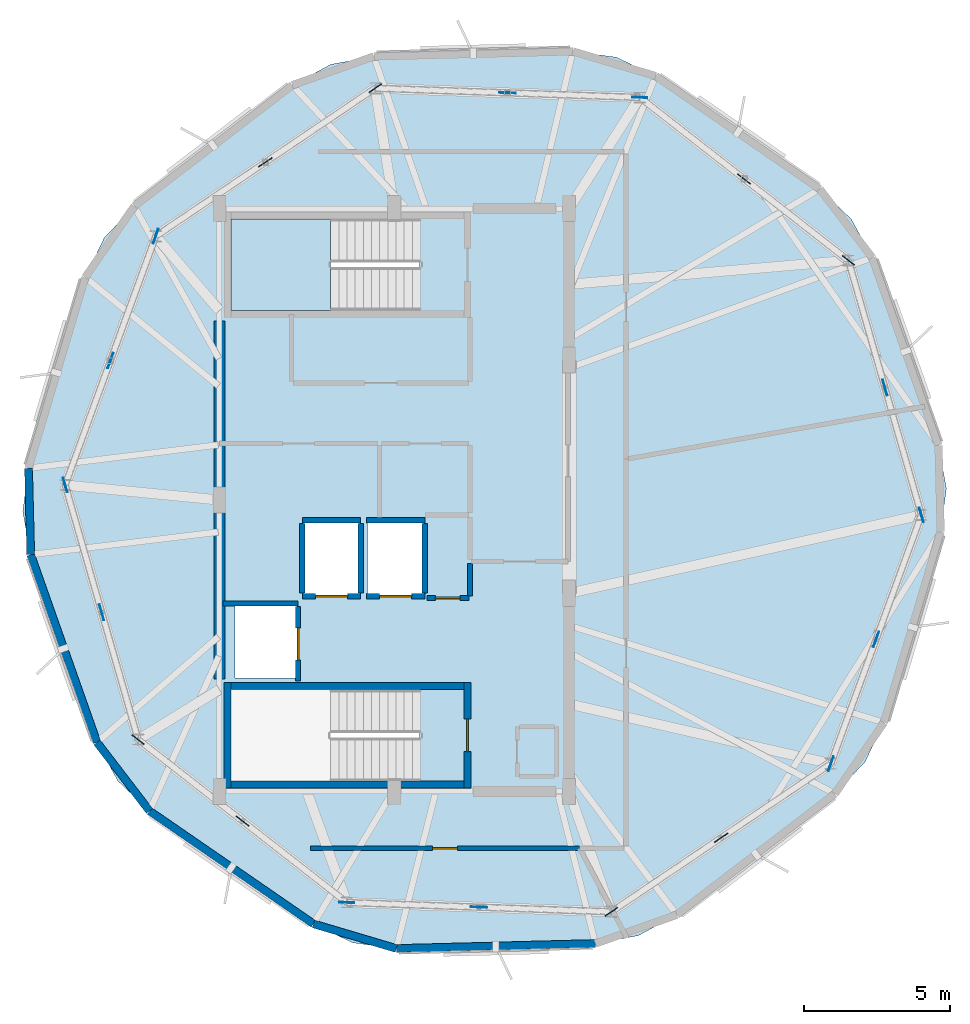
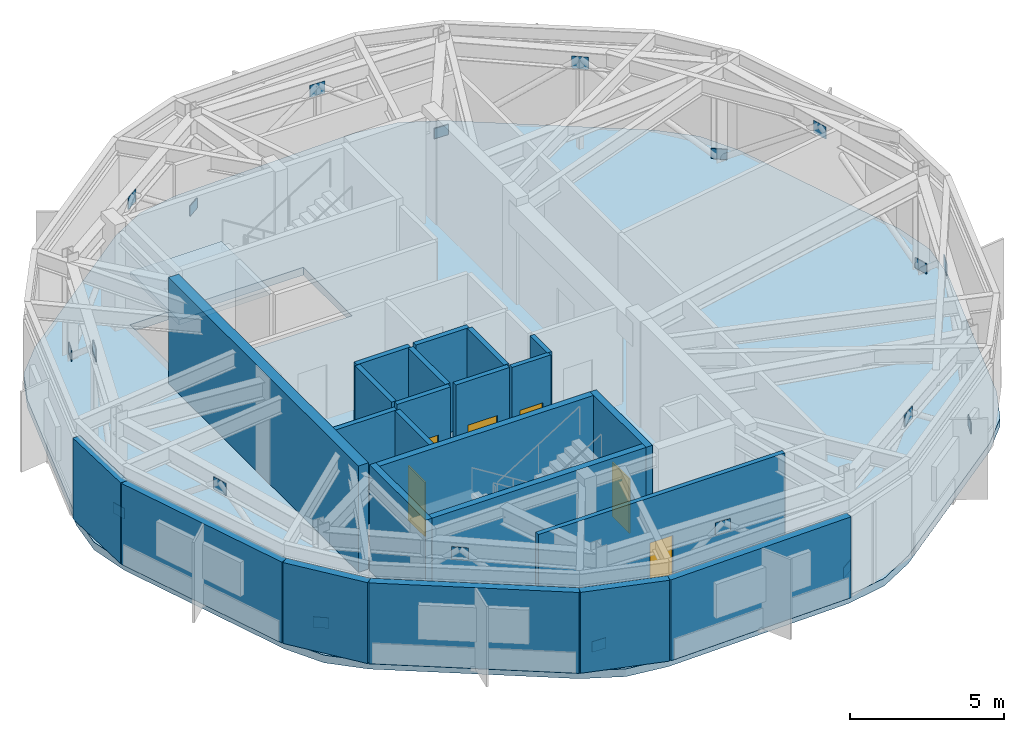
# One storey, part 4 of 9: 23 walls, 20 plates, 6 doors, 2 slabs, 6 openings, 1 element without a shape of its own.
"""IFC4 building model written with IfcOpenShell, lengths in metres."""

from ifc_helpers import new_model, si_unit, direction, frame, frame_2d, origin, origin_2d, place, context, subcontext, project, spatial, polyline, rectangle, outline, extrude, material, layer, layer_set, type_object, element, fill, aggregate, save


model = new_model("IFC4")

# Units and contexts
model_context = context("Model", 3, precision=1e-05, world=origin(), true_north=direction((0.0, 1.0)))
body_context = subcontext(model_context, "Body", "Model", "MODEL_VIEW")
ifc_project = project(units=[si_unit("LENGTHUNIT", "METRE"), si_unit("AREAUNIT", "SQUARE_METRE"), si_unit("VOLUMEUNIT", "CUBIC_METRE"), si_unit("PLANEANGLEUNIT", "RADIAN"), si_unit("MASSUNIT", "GRAM", prefix="KILO")], contexts=[model_context])

# Site, building, storey
site_placement = place(None, origin())
site = spatial("IfcSite", under=ifc_project, at=site_placement, CompositionType="ELEMENT")
building_placement = place(site_placement, origin())
building = spatial("IfcBuilding", under=site, at=building_placement, Name="Soratama Intermodal Tower", CompositionType="ELEMENT")
storey_placement = place(building_placement, frame((0.0, 0.0, 305.64990234375)))
storey = spatial("IfcBuildingStorey", under=building, at=storey_placement, Name="L77", CompositionType="ELEMENT", Elevation=305.64990234375)

# Plates
ifc_material_1 = material(Name="Structural steel ASTM A992 Grade 50", Category="steel")
ifc_layer_1 = layer(ifc_material_1, 0.030029296875)
ifc_layer_set_1 = layer_set([ifc_layer_1], Name="Structural steel ASTM A992 Grade 50")
plate_type = type_object("IfcPlateType", Name="PL-GUSSET-30", PredefinedType="USERDEFINED", material=ifc_layer_set_1)
plate_1_placement = place(storey_placement, frame((50.607421875, 36.016845703125, 3.127685546875), z_axis=(0.0, 0.0, 1.0), x_axis=(-0.788010753607, 0.615661475326, 0.0)))
element("IfcPlate", 1, at=plate_1_placement, inside=storey, type_object=plate_type, Name="L77 Belt Truss Apex Gusset 01", ObjectType="GUSSET PLATE", PredefinedType="USERDEFINED", context=body_context, shape_type="SweptSolid", body=[
    extrude(rectangle(XDim=0.56005859375, YDim=0.030029296875, at=origin_2d()), origin(), (0.0, 0.0, 1.0), 0.47998046875),
])
plate_2_placement = place(storey_placement, frame((54.18701171875, 33.22021484375, -0.019775390625), z_axis=(0.0, 0.0, 1.0), x_axis=(-0.788010753607, 0.615661475326, 0.0)))
element("IfcPlate", 2, at=plate_2_placement, inside=storey, type_object=plate_type, Name="L77 Belt Truss Foot Gusset 01", ObjectType="GUSSET PLATE", PredefinedType="USERDEFINED", context=body_context, shape_type="SweptSolid", body=[
    extrude(rectangle(XDim=0.52001953125, YDim=0.030029296875, at=origin_2d()), origin(), (0.0, 0.0, 1.0), 0.419921875),
])
plate_3_placement = place(storey_placement, frame((42.48779296875, 38.971923828125, 3.127685546875), z_axis=(0.0, 0.0, 1.0), x_axis=(-0.999390827019, 0.034899496703, 0.0)))
element("IfcPlate", 3, at=plate_3_placement, inside=storey, type_object=plate_type, Name="L77 Belt Truss Apex Gusset 02", ObjectType="GUSSET PLATE", PredefinedType="USERDEFINED", context=body_context, shape_type="SweptSolid", body=[
    extrude(rectangle(XDim=0.56005859375, YDim=0.030029296875, at=origin_2d()), origin(), (0.0, 0.0, 1.0), 0.47998046875),
])
plate_4_placement = place(storey_placement, frame((47.027587890625, 38.8134765625, -0.019775390625), z_axis=(0.0, 0.0, 1.0), x_axis=(-0.999390827019, 0.034899496703, 0.0)))
element("IfcPlate", 4, at=plate_4_placement, inside=storey, type_object=plate_type, Name="L77 Belt Truss Foot Gusset 02", ObjectType="GUSSET PLATE", PredefinedType="USERDEFINED", context=body_context, shape_type="SweptSolid", body=[
    extrude(rectangle(XDim=0.52001953125, YDim=0.030029296875, at=origin_2d()), origin(), (0.0, 0.0, 1.0), 0.419921875),
])
plate_5_placement = place(storey_placement, frame((34.18212890625, 36.59033203125, 3.127685546875), z_axis=(0.0, 0.0, 1.0), x_axis=(-0.829037572555, -0.559192903471, 0.0)))
element("IfcPlate", 5, at=plate_5_placement, inside=storey, type_object=plate_type, Name="L77 Belt Truss Apex Gusset 03", ObjectType="GUSSET PLATE", PredefinedType="USERDEFINED", context=body_context, shape_type="SweptSolid", body=[
    extrude(rectangle(XDim=0.56005859375, YDim=0.030029296875, at=origin_2d()), origin(), (0.0, 0.0, 1.0), 0.47998046875),
])
plate_6_placement = place(storey_placement, frame((37.947998046875, 39.130615234375, -0.019775390625), z_axis=(0.0, 0.0, 1.0), x_axis=(-0.829037572555, -0.559192903471, 0.0)))
element("IfcPlate", 6, at=plate_6_placement, inside=storey, type_object=plate_type, Name="L77 Belt Truss Foot Gusset 03", ObjectType="GUSSET PLATE", PredefinedType="USERDEFINED", context=body_context, shape_type="SweptSolid", body=[
    extrude(rectangle(XDim=0.52001953125, YDim=0.030029296875, at=origin_2d()), origin(), (0.0, 0.0, 1.0), 0.419921875),
])
plate_7_placement = place(storey_placement, frame((28.862548828125, 29.781494140625, 3.127685546875), z_axis=(0.0, 0.0, 1.0), x_axis=(-0.342020143326, -0.939692620786, 0.0)))
element("IfcPlate", 7, at=plate_7_placement, inside=storey, type_object=plate_type, Name="L77 Belt Truss Apex Gusset 04", ObjectType="GUSSET PLATE", PredefinedType="USERDEFINED", context=body_context, shape_type="SweptSolid", body=[
    extrude(rectangle(XDim=0.56005859375, YDim=0.030029296875, at=origin_2d()), origin(), (0.0, 0.0, 1.0), 0.47998046875),
])
plate_8_placement = place(storey_placement, frame((30.416259765625, 34.05029296875, -0.019775390625), z_axis=(0.0, 0.0, 1.0), x_axis=(-0.342020143326, -0.939692620786, 0.0)))
element("IfcPlate", 8, at=plate_8_placement, inside=storey, type_object=plate_type, Name="L77 Belt Truss Foot Gusset 04", ObjectType="GUSSET PLATE", PredefinedType="USERDEFINED", context=body_context, shape_type="SweptSolid", body=[
    extrude(rectangle(XDim=0.52001953125, YDim=0.030029296875, at=origin_2d()), origin(), (0.0, 0.0, 1.0), 0.419921875),
])
plate_9_placement = place(storey_placement, frame((28.56103515625, 21.146484375, 3.127685546875), z_axis=(0.0, 0.0, 1.0), x_axis=(0.275637355817, -0.961261695938, 0.0)))
element("IfcPlate", 9, at=plate_9_placement, inside=storey, type_object=plate_type, Name="L77 Belt Truss Apex Gusset 05", ObjectType="GUSSET PLATE", PredefinedType="USERDEFINED", context=body_context, shape_type="SweptSolid", body=[
    extrude(rectangle(XDim=0.56005859375, YDim=0.030029296875, at=origin_2d()), origin(), (0.0, 0.0, 1.0), 0.47998046875),
])
plate_10_placement = place(storey_placement, frame((27.30908203125, 25.512939453125, -0.019775390625), z_axis=(0.0, 0.0, 1.0), x_axis=(0.275637355817, -0.961261695938, 0.0)))
element("IfcPlate", 10, at=plate_10_placement, inside=storey, type_object=plate_type, Name="L77 Belt Truss Foot Gusset 05", ObjectType="GUSSET PLATE", PredefinedType="USERDEFINED", context=body_context, shape_type="SweptSolid", body=[
    extrude(rectangle(XDim=0.52001953125, YDim=0.030029296875, at=origin_2d()), origin(), (0.0, 0.0, 1.0), 0.419921875),
])
plate_11_placement = place(storey_placement, frame((33.392578125, 13.983154296875, 3.127685546875), z_axis=(0.0, 0.0, 1.0), x_axis=(0.788010753607, -0.615661475326, 0.0)))
element("IfcPlate", 11, at=plate_11_placement, inside=storey, type_object=plate_type, Name="L77 Belt Truss Apex Gusset 06", ObjectType="GUSSET PLATE", PredefinedType="USERDEFINED", context=body_context, shape_type="SweptSolid", body=[
    extrude(rectangle(XDim=0.56005859375, YDim=0.030029296875, at=origin_2d()), origin(), (0.0, 0.0, 1.0), 0.47998046875),
])
plate_12_placement = place(storey_placement, frame((29.81298828125, 16.77978515625, -0.019775390625), z_axis=(0.0, 0.0, 1.0), x_axis=(0.788010753607, -0.615661475326, 0.0)))
element("IfcPlate", 12, at=plate_12_placement, inside=storey, type_object=plate_type, Name="L77 Belt Truss Foot Gusset 06", ObjectType="GUSSET PLATE", PredefinedType="USERDEFINED", context=body_context, shape_type="SweptSolid", body=[
    extrude(rectangle(XDim=0.52001953125, YDim=0.030029296875, at=origin_2d()), origin(), (0.0, 0.0, 1.0), 0.419921875),
])
plate_13_placement = place(storey_placement, frame((41.51220703125, 11.028076171875, 3.127685546875), z_axis=(0.0, 0.0, 1.0), x_axis=(0.999390827019, -0.034899496703, 0.0)))
element("IfcPlate", 13, at=plate_13_placement, inside=storey, type_object=plate_type, Name="L77 Belt Truss Apex Gusset 07", ObjectType="GUSSET PLATE", PredefinedType="USERDEFINED", context=body_context, shape_type="SweptSolid", body=[
    extrude(rectangle(XDim=0.56005859375, YDim=0.030029296875, at=origin_2d()), origin(), (0.0, 0.0, 1.0), 0.47998046875),
])
plate_14_placement = place(storey_placement, frame((36.972412109375, 11.1865234375, -0.019775390625), z_axis=(0.0, 0.0, 1.0), x_axis=(0.999390827019, -0.034899496703, 0.0)))
element("IfcPlate", 14, at=plate_14_placement, inside=storey, type_object=plate_type, Name="L77 Belt Truss Foot Gusset 07", ObjectType="GUSSET PLATE", PredefinedType="USERDEFINED", context=body_context, shape_type="SweptSolid", body=[
    extrude(rectangle(XDim=0.52001953125, YDim=0.030029296875, at=origin_2d()), origin(), (0.0, 0.0, 1.0), 0.419921875),
])
plate_15_placement = place(storey_placement, frame((49.81787109375, 13.40966796875, 3.127685546875), z_axis=(0.0, 0.0, 1.0), x_axis=(0.829037572555, 0.559192903471, 0.0)))
element("IfcPlate", 15, at=plate_15_placement, inside=storey, type_object=plate_type, Name="L77 Belt Truss Apex Gusset 08", ObjectType="GUSSET PLATE", PredefinedType="USERDEFINED", context=body_context, shape_type="SweptSolid", body=[
    extrude(rectangle(XDim=0.56005859375, YDim=0.030029296875, at=origin_2d()), origin(), (0.0, 0.0, 1.0), 0.47998046875),
])
plate_16_placement = place(storey_placement, frame((46.052001953125, 10.869384765625, -0.019775390625), z_axis=(0.0, 0.0, 1.0), x_axis=(0.829037572555, 0.559192903471, 0.0)))
element("IfcPlate", 16, at=plate_16_placement, inside=storey, type_object=plate_type, Name="L77 Belt Truss Foot Gusset 08", ObjectType="GUSSET PLATE", PredefinedType="USERDEFINED", context=body_context, shape_type="SweptSolid", body=[
    extrude(rectangle(XDim=0.52001953125, YDim=0.030029296875, at=origin_2d()), origin(), (0.0, 0.0, 1.0), 0.419921875),
])
plate_17_placement = place(storey_placement, frame((55.137451171875, 20.218505859375, 3.127685546875), z_axis=(0.0, 0.0, 1.0), x_axis=(0.342020143326, 0.939692620786, 0.0)))
element("IfcPlate", 17, at=plate_17_placement, inside=storey, type_object=plate_type, Name="L77 Belt Truss Apex Gusset 09", ObjectType="GUSSET PLATE", PredefinedType="USERDEFINED", context=body_context, shape_type="SweptSolid", body=[
    extrude(rectangle(XDim=0.56005859375, YDim=0.030029296875, at=origin_2d()), origin(), (0.0, 0.0, 1.0), 0.47998046875),
])
plate_18_placement = place(storey_placement, frame((53.583740234375, 15.94970703125, -0.019775390625), z_axis=(0.0, 0.0, 1.0), x_axis=(0.342020143326, 0.939692620786, 0.0)))
element("IfcPlate", 18, at=plate_18_placement, inside=storey, type_object=plate_type, Name="L77 Belt Truss Foot Gusset 09", ObjectType="GUSSET PLATE", PredefinedType="USERDEFINED", context=body_context, shape_type="SweptSolid", body=[
    extrude(rectangle(XDim=0.52001953125, YDim=0.030029296875, at=origin_2d()), origin(), (0.0, 0.0, 1.0), 0.419921875),
])
plate_19_placement = place(storey_placement, frame((55.43896484375, 28.853515625, 3.127685546875), z_axis=(0.0, 0.0, 1.0), x_axis=(-0.275637355817, 0.961261695938, 0.0)))
element("IfcPlate", 19, at=plate_19_placement, inside=storey, type_object=plate_type, Name="L77 Belt Truss Apex Gusset 10", ObjectType="GUSSET PLATE", PredefinedType="USERDEFINED", context=body_context, shape_type="SweptSolid", body=[
    extrude(rectangle(XDim=0.56005859375, YDim=0.030029296875, at=origin_2d()), origin(), (0.0, 0.0, 1.0), 0.47998046875),
])
plate_20_placement = place(storey_placement, frame((56.69091796875, 24.487060546875, -0.019775390625), z_axis=(0.0, 0.0, 1.0), x_axis=(-0.275637355817, 0.961261695938, 0.0)))
element("IfcPlate", 20, at=plate_20_placement, inside=storey, type_object=plate_type, Name="L77 Belt Truss Foot Gusset 10", ObjectType="GUSSET PLATE", PredefinedType="USERDEFINED", context=body_context, shape_type="SweptSolid", body=[
    extrude(rectangle(XDim=0.52001953125, YDim=0.030029296875, at=origin_2d()), origin(), (0.0, 0.0, 1.0), 0.419921875),
])

# Slab
ifc_material_2 = material(Name="Concrete f'c 42 MPa", Category="concrete")
ifc_layer_2 = layer(ifc_material_2, 0.260009765625)
ifc_layer_set_2 = layer_set([ifc_layer_2], Name="Concrete f'c 42 MPa")
slab_type_1 = type_object("IfcSlabType", Name="SL-CRN-260", PredefinedType="FLOOR", material=ifc_layer_set_2)
slab_1_placement = place(storey_placement, frame((0.0, 0.0, -0.304931640625)))
element("IfcSlab", 21, at=slab_1_placement, inside=storey, type_object=slab_type_1, Name="L77 Structural Floor Slab", PredefinedType="FLOOR", context=body_context, shape_type="SweptSolid", body=[
    extrude(outline(polyline([(47.5732421875, 39.547607421875), (46.218505859375, 40.1953125), (44.729736328125, 40.39306640625), (37.900634765625, 40.22119140625), (36.423828125, 39.94921875), (35.103271484375, 39.23388671875), (29.679443359375, 35.081298828125), (28.64453125, 33.992919921875), (27.99658203125, 32.63818359375), (26.049560546875, 26.09033203125), (25.85205078125, 24.6015625), (26.124267578125, 23.124755859375), (28.397705078125, 16.68310546875), (29.11279296875, 15.362548828125), (30.201171875, 14.32763671875), (35.826904296875, 10.452392578125), (37.181640625, 9.8046875), (38.67041015625, 9.60693359375), (45.499267578125, 9.77880859375), (46.976318359375, 10.05078125), (48.296630859375, 10.76611328125), (53.720703125, 14.918701171875), (54.75537109375, 16.007080078125), (55.4033203125, 17.36181640625), (57.350341796875, 23.90966796875), (57.548095703125, 25.3984375), (57.27587890625, 26.875244140625), (55.002197265625, 33.31689453125), (54.287109375, 34.637451171875), (53.198974609375, 35.67236328125), (47.5732421875, 39.547607421875)]), holes=[polyline([(33.0, 15.35009765625), (39.47509765625, 15.35009765625), (39.47509765625, 18.5), (33.0, 18.5), (33.0, 15.35009765625)]), polyline([(33.139892578125, 21.409912109375), (33.139892578125, 18.889892578125), (35.260009765625, 18.889892578125), (35.260009765625, 21.409912109375), (33.139892578125, 21.409912109375)]), polyline([(35.489990234375, 24.260009765625), (35.489990234375, 21.739990234375), (37.409912109375, 21.739990234375), (37.409912109375, 24.260009765625), (35.489990234375, 24.260009765625)]), polyline([(39.610107421875, 24.260009765625), (37.68994140625, 24.260009765625), (37.68994140625, 21.739990234375), (39.610107421875, 21.739990234375), (39.610107421875, 24.260009765625)]), polyline([(33.0, 34.64990234375), (33.0, 31.5), (39.47509765625, 31.5), (39.47509765625, 34.64990234375), (33.0, 34.64990234375)])]), origin(), (0.0, 0.0, 1.0), 0.304931640625),
])

# Stair, slab
ifc_material_3 = material(Name="Concrete f'c 42 MPa", Category="concrete")
stair_type = type_object("IfcStairType", Name="ST-CORE-DOGLEG", PredefinedType="HALF_TURN_STAIR", material=ifc_material_3)
stair_placement = place(storey_placement, origin())
stair = element("IfcStair", 22, at=stair_placement, inside=storey, type_object=stair_type, Name="L77 ST-2", PredefinedType="HALF_TURN_STAIR")
ifc_material_4 = material(Name="Concrete f'c 42 MPa", Category="concrete")
ifc_layer_3 = layer(ifc_material_4, 0.219970703125)
ifc_layer_set_3 = layer_set([ifc_layer_3], Name="Concrete f'c 42 MPa")
slab_type_2 = type_object("IfcSlabType", Name="SL-STAIR-LAND", PredefinedType="LANDING", material=ifc_layer_set_3)
slab_2_placement = place(storey_placement, frame((0.0, 0.0, 1.900146484375)))
slab_2 = element("IfcSlab", 23, at=slab_2_placement, type_object=slab_type_2, Name="ST-2 landing 1", PredefinedType="LANDING", context=body_context, shape_type="SweptSolid", body=[
    extrude(outline(polyline([(36.419921875, 34.64990234375), (33.0, 34.64990234375), (33.0, 31.5), (36.419921875, 31.5), (36.419921875, 34.64990234375)])), origin(), (0.0, 0.0, 1.0), 0.199951171875),
])
aggregate(stair, [slab_2])

# Walls
ifc_material_5 = material(Name="Concrete f'c 42 MPa", Category="concrete")
ifc_layer_4 = layer(ifc_material_5, 0.27001953125)
ifc_layer_set_4 = layer_set([ifc_layer_4], Name="Concrete f'c 42 MPa")
wall_type_1 = type_object("IfcWallType", Name="EW-CRN-270", PredefinedType="SOLIDWALL", material=ifc_layer_set_4)
for number, where, z_axis, x_axis, name in (
    (24, (26.049560546875, 26.09033203125, 0.0), (0.0, 0.0, 1.0), (0.025183415768, -0.999682847492, 0.0), "L77 Corner Closure Wall 03"),
    (25, (28.397705078125, 16.68310546875, 0.0), (0.0, 0.0, 1.0), (0.60792347347, -0.793995623668, 0.0), "L77 Corner Closure Wall 04"),
):
    element("IfcWall", number, at=place(storey_placement, frame(where, z_axis=z_axis, x_axis=x_axis)), inside=storey, type_object=wall_type_1, Name=name, PredefinedType="SOLIDWALL", context=body_context, shape_type="SweptSolid", body=[
        extrude(rectangle(XDim=2.966552734375, YDim=0.27001953125, at=frame_2d((1.4833984375, 0.0))), origin(), (0.0, 0.0, 1.0), 3.195068359375),
    ])
wall_1_placement = place(storey_placement, frame((26.124267578125, 23.124755859375, 0.0), z_axis=(0.0, 0.0, 1.0), x_axis=(0.332808900917, -0.942994292385, 0.0)))
element("IfcWall", 26, at=wall_1_placement, inside=storey, type_object=wall_type_1, Name="L77 Plant Wall F04", PredefinedType="SOLIDWALL", context=body_context, shape_type="SweptSolid", body=[
    extrude(rectangle(XDim=6.8310546875, YDim=0.27001953125, at=frame_2d((3.41552734375, 0.0))), origin(), (0.0, 0.0, 1.0), 3.195068359375),
])
wall_2_placement = place(storey_placement, frame((35.826904296875, 10.452392578125, 0.0), z_axis=(0.0, 0.0, 1.0), x_axis=(0.958527849857, -0.284998879029, 0.0)))
element("IfcWall", 27, at=wall_2_placement, inside=storey, type_object=wall_type_1, Name="L77 Corner Closure Wall 05", PredefinedType="SOLIDWALL", context=body_context, shape_type="SweptSolid", body=[
    extrude(rectangle(XDim=2.966552734375, YDim=0.27001953125, at=frame_2d((1.4833984375, 0.0))), origin(), (0.0, 0.0, 1.0), 3.195068359375),
])
wall_3_placement = place(storey_placement, frame((30.201171875, 14.32763671875, 0.0), z_axis=(0.0, 0.0, 1.0), x_axis=(0.823525410079, -0.567279383509, 0.0)))
element("IfcWall", 28, at=wall_3_placement, inside=storey, type_object=wall_type_1, Name="L77 Plant Wall F05", PredefinedType="SOLIDWALL", context=body_context, shape_type="SweptSolid", body=[
    extrude(rectangle(XDim=6.831298828125, YDim=0.27001953125, at=frame_2d((3.41552734375, 0.0))), origin(), (0.0, 0.0, 1.0), 3.195068359375),
])
wall_4_placement = place(storey_placement, frame((38.67041015625, 9.60693359375, 0.0), z_axis=(0.0, 0.0, 1.0), x_axis=(0.999683413013, 0.025160956804, 0.0)))
element("IfcWall", 29, at=wall_4_placement, inside=storey, type_object=wall_type_1, Name="L77 Plant Wall F06", PredefinedType="SOLIDWALL", context=body_context, shape_type="SweptSolid", body=[
    extrude(rectangle(XDim=6.8310546875, YDim=0.27001953125, at=frame_2d((3.41552734375, 0.0))), origin(), (0.0, 0.0, 1.0), 3.195068359375),
])

# Wall, opening, door
ifc_material_6 = material(Name="Fire-rated gypsum stud partition", Category="concrete")
ifc_layer_5 = layer(ifc_material_6, 0.169921875)
ifc_layer_set_5 = layer_set([ifc_layer_5], Name="Fire-rated gypsum stud partition")
wall_type_2 = type_object("IfcWallType", Name="IW-PART-R170", PredefinedType="PARTITIONING", material=ifc_layer_set_5)
wall_5_placement = place(storey_placement, frame((39.719970703125, 21.639892578125, 0.0), z_axis=(0.0, 0.0, 1.0), x_axis=(1.0, 0.0, 0.0)))
wall_5 = element("IfcWall", 30, at=wall_5_placement, inside=storey, type_object=wall_type_2, Name="L77 Partition W-L77-TP017", PredefinedType="PARTITIONING", context=body_context, shape_type="SweptSolid", body=[
    extrude(rectangle(XDim=1.43994140625, YDim=0.169921875, at=frame_2d((0.719970703125, 0.0))), origin(), (0.0, 0.0, 1.0), 3.89501953125),
])
opening_1_placement = place(wall_5_placement, frame((0.294921875, 0.0, 0.0)))
opening_1 = element("IfcOpeningElement", 31, at=opening_1_placement, cuts=wall_5, Name="Opening ID-4", PredefinedType="OPENING", context=body_context, shape_type="SweptSolid", body=[
    extrude(rectangle(XDim=0.85009765625, YDim=2.10009765625, at=frame_2d((0.425048828125, 1.050048828125))), frame((0.0, 0.094970703125, 0.0), z_axis=(0.0, -1.0, 0.0), x_axis=(1.0, 0.0, 0.0)), (0.0, 0.0, 1.0), 0.18994140625),
])
ifc_material_7 = material(Name="Solid hardwood acoustic door", Category="wood")
door_type_1 = type_object("IfcDoorType", Name="DR-BATH-850", OperationType="NOTDEFINED", PredefinedType="DOOR", material=ifc_material_7)
door_1_placement = place(opening_1_placement, origin())
door_1 = element("IfcDoor", 32, at=door_1_placement, inside=storey, type_object=door_type_1, Name="L77 Door D-L77-TP008", OperationType="SINGLE_SWING_LEFT", OverallHeight=2.10009765625, OverallWidth=0.85009765625, PredefinedType="DOOR", context=body_context, shape_type="SweptSolid", body=[
    extrude(rectangle(XDim=0.85009765625, YDim=2.10009765625, at=frame_2d((0.425048828125, 1.050048828125))), frame((0.0, 0.02490234375, 0.0), z_axis=(0.0, -1.0, 0.0), x_axis=(1.0, 0.0, 0.0)), (0.0, 0.0, 1.0), 0.050048828125),
])
fill(opening_1, door_1)

# Wall
wall_6_placement = place(storey_placement, frame((41.199951171875, 21.699951171875, 0.0), z_axis=(0.0, 0.0, 1.0), x_axis=(0.0, 1.0, 0.0)))
element("IfcWall", 33, at=wall_6_placement, inside=storey, type_object=wall_type_2, Name="L77 Partition W-L77-TP018", PredefinedType="PARTITIONING", context=body_context, shape_type="SweptSolid", body=[
    extrude(rectangle(XDim=1.1201171875, YDim=0.169921875, at=frame_2d((0.56005859375, 0.0))), origin(), (0.0, 0.0, 1.0), 3.89501953125),
])

# Wall, opening, door
wall_7_placement = place(storey_placement, frame((44.9541015625, 13.050048828125, 0.0), z_axis=(0.0, 0.0, 1.0), x_axis=(-1.0, 0.0, 0.0)))
wall_7 = element("IfcWall", 34, at=wall_7_placement, inside=storey, type_object=wall_type_2, Name="L77 Partition W-L77-TP020", PredefinedType="PARTITIONING", context=body_context, shape_type="SweptSolid", body=[
    extrude(rectangle(XDim=9.22119140625, YDim=0.169921875, at=frame_2d((4.610595703125, 0.0))), origin(), (0.0, 0.0, 1.0), 3.89501953125),
])
opening_2_placement = place(wall_7_placement, frame((4.18603515625, 0.0, 0.0)))
opening_2 = element("IfcOpeningElement", 35, at=opening_2_placement, cuts=wall_7, Name="Opening ID-4", PredefinedType="OPENING", context=body_context, shape_type="SweptSolid", body=[
    extrude(rectangle(XDim=0.85009765625, YDim=2.10009765625, at=frame_2d((0.425048828125, 1.050048828125))), frame((0.0, 0.094970703125, 0.0), z_axis=(0.0, -1.0, 0.0), x_axis=(1.0, 0.0, 0.0)), (0.0, 0.0, 1.0), 0.18994140625),
])
door_2_placement = place(opening_2_placement, origin())
door_2 = element("IfcDoor", 36, at=door_2_placement, inside=storey, type_object=door_type_1, Name="L77 Door D-L77-TP009", OperationType="SINGLE_SWING_LEFT", OverallHeight=2.10009765625, OverallWidth=0.85009765625, PredefinedType="DOOR", context=body_context, shape_type="SweptSolid", body=[
    extrude(rectangle(XDim=0.85009765625, YDim=2.10009765625, at=frame_2d((0.425048828125, 1.050048828125))), frame((0.0, 0.02490234375, 0.0), z_axis=(0.0, -1.0, 0.0), x_axis=(1.0, 0.0, 0.0)), (0.0, 0.0, 1.0), 0.050048828125),
])
fill(opening_2, door_2)

ifc_material_8 = material(Name="Concrete f'c 42 MPa", Category="concrete")
ifc_layer_6 = layer(ifc_material_8, 0.18505859375)
ifc_layer_set_6 = layer_set([ifc_layer_6], Name="Concrete f'c 42 MPa")
wall_type_3 = type_object("IfcWallType", Name="IW-SHAFT-185", PredefinedType="SOLIDWALL", material=ifc_layer_set_6)
wall_8_placement = place(storey_placement, frame((35.449951171875, 21.699951171875, 0.0), z_axis=(0.0, 0.0, 1.0), x_axis=(1.0, 0.0, 0.0)))
wall_8 = element("IfcWall", 37, at=wall_8_placement, inside=storey, type_object=wall_type_3, Name="L77 FFL-1 Hoistway Wall S", PredefinedType="SOLIDWALL", context=body_context, shape_type="SweptSolid", body=[
    extrude(rectangle(XDim=2.0, YDim=0.18505859375, at=frame_2d((1.0, 0.0))), origin(), (0.0, 0.0, 1.0), 3.89501953125),
])
opening_3_placement = place(wall_8_placement, frame((0.449951171875, 0.0, 0.0)))
opening_3 = element("IfcOpeningElement", 38, at=opening_3_placement, cuts=wall_8, Name="Opening LD-1", PredefinedType="OPENING", context=body_context, shape_type="SweptSolid", body=[
    extrude(rectangle(XDim=1.10009765625, YDim=2.14990234375, at=frame_2d((0.550048828125, 1.074951171875))), frame((0.0, 0.1025390625, 0.0), z_axis=(0.0, -1.0, 0.0), x_axis=(1.0, 0.0, 0.0)), (0.0, 0.0, 1.0), 0.205078125),
])
ifc_material_9 = material(Name="Steel fire door", Category="steel")
door_type_2 = type_object("IfcDoorType", Name="DR-LIFT-SLIDE", OperationType="NOTDEFINED", PredefinedType="DOOR", material=ifc_material_9)
door_3_placement = place(opening_3_placement, origin())
door_3 = element("IfcDoor", 39, at=door_3_placement, inside=storey, type_object=door_type_2, Name="L77 FFL-1 Sliding Landing Door", OperationType="SLIDING_TO_LEFT", OverallHeight=2.14990234375, OverallWidth=1.10009765625, PredefinedType="DOOR", context=body_context, shape_type="SweptSolid", body=[
    extrude(rectangle(XDim=1.10009765625, YDim=2.14990234375, at=frame_2d((0.550048828125, 1.074951171875))), frame((0.0, 0.02490234375, 0.0), z_axis=(0.0, -1.0, 0.0), x_axis=(1.0, 0.0, 0.0)), (0.0, 0.0, 1.0), 0.050048828125),
])
fill(opening_3, door_3)

# Walls
wall_9_placement = place(storey_placement, frame((35.449951171875, 24.300048828125, 0.0), z_axis=(0.0, 0.0, 1.0), x_axis=(1.0, 0.0, 0.0)))
element("IfcWall", 40, at=wall_9_placement, inside=storey, type_object=wall_type_3, Name="L77 FFL-1 Hoistway Wall N", PredefinedType="SOLIDWALL", context=body_context, shape_type="SweptSolid", body=[
    extrude(rectangle(XDim=2.0, YDim=0.18505859375, at=frame_2d((1.0, 0.0))), origin(), (0.0, 0.0, 1.0), 3.89501953125),
])
for number, where, z_axis, x_axis, name in (
    (41, (35.449951171875, 21.81005859375, 0.0), (0.0, 0.0, 1.0), (0.0, 1.0, 0.0), "L77 FFL-1 Hoistway Wall W"),
    (42, (37.449951171875, 21.81005859375, 0.0), (0.0, 0.0, 1.0), (0.0, 1.0, 0.0), "L77 FFL-1 Hoistway Wall E"),
):
    element("IfcWall", number, at=place(storey_placement, frame(where, z_axis=z_axis, x_axis=x_axis)), inside=storey, type_object=wall_type_3, Name=name, PredefinedType="SOLIDWALL", context=body_context, shape_type="SweptSolid", body=[
        extrude(rectangle(XDim=2.3798828125, YDim=0.18505859375, at=frame_2d((1.18994140625, 0.0))), origin(), (0.0, 0.0, 1.0), 3.89501953125),
    ])

# Wall, opening, door
wall_10_placement = place(storey_placement, frame((37.64990234375, 21.699951171875, 0.0), z_axis=(0.0, 0.0, 1.0), x_axis=(1.0, 0.0, 0.0)))
wall_10 = element("IfcWall", 43, at=wall_10_placement, inside=storey, type_object=wall_type_3, Name="L77 FFL-2 Hoistway Wall S", PredefinedType="SOLIDWALL", context=body_context, shape_type="SweptSolid", body=[
    extrude(rectangle(XDim=2.0, YDim=0.18505859375, at=frame_2d((1.0, 0.0))), origin(), (0.0, 0.0, 1.0), 3.89501953125),
])
opening_4_placement = place(wall_10_placement, frame((0.449951171875, 0.0, 0.0)))
opening_4 = element("IfcOpeningElement", 44, at=opening_4_placement, cuts=wall_10, Name="Opening LD-1", PredefinedType="OPENING", context=body_context, shape_type="SweptSolid", body=[
    extrude(rectangle(XDim=1.10009765625, YDim=2.14990234375, at=frame_2d((0.550048828125, 1.074951171875))), frame((0.0, 0.1025390625, 0.0), z_axis=(0.0, -1.0, 0.0), x_axis=(1.0, 0.0, 0.0)), (0.0, 0.0, 1.0), 0.205078125),
])
door_4_placement = place(opening_4_placement, origin())
door_4 = element("IfcDoor", 45, at=door_4_placement, inside=storey, type_object=door_type_2, Name="L77 FFL-2 Sliding Landing Door", OperationType="SLIDING_TO_LEFT", OverallHeight=2.14990234375, OverallWidth=1.10009765625, PredefinedType="DOOR", context=body_context, shape_type="SweptSolid", body=[
    extrude(rectangle(XDim=1.10009765625, YDim=2.14990234375, at=frame_2d((0.550048828125, 1.074951171875))), frame((0.0, 0.02490234375, 0.0), z_axis=(0.0, -1.0, 0.0), x_axis=(1.0, 0.0, 0.0)), (0.0, 0.0, 1.0), 0.050048828125),
])
fill(opening_4, door_4)

# Walls
wall_11_placement = place(storey_placement, frame((37.64990234375, 24.300048828125, 0.0), z_axis=(0.0, 0.0, 1.0), x_axis=(1.0, 0.0, 0.0)))
element("IfcWall", 46, at=wall_11_placement, inside=storey, type_object=wall_type_3, Name="L77 FFL-2 Hoistway Wall N", PredefinedType="SOLIDWALL", context=body_context, shape_type="SweptSolid", body=[
    extrude(rectangle(XDim=2.0, YDim=0.18505859375, at=frame_2d((1.0, 0.0))), origin(), (0.0, 0.0, 1.0), 3.89501953125),
])
wall_12_placement = place(storey_placement, frame((39.64990234375, 21.81005859375, 0.0), z_axis=(0.0, 0.0, 1.0), x_axis=(0.0, 1.0, 0.0)))
element("IfcWall", 47, at=wall_12_placement, inside=storey, type_object=wall_type_3, Name="L77 FFL-2 Hoistway Wall E", PredefinedType="SOLIDWALL", context=body_context, shape_type="SweptSolid", body=[
    extrude(rectangle(XDim=2.3798828125, YDim=0.18505859375, at=frame_2d((1.18994140625, 0.0))), origin(), (0.0, 0.0, 1.0), 3.89501953125),
])
wall_13_placement = place(storey_placement, frame((32.719970703125, 21.449951171875, 0.0), z_axis=(0.0, 0.0, 1.0), x_axis=(1.0, 0.0, 0.0)))
element("IfcWall", 48, at=wall_13_placement, inside=storey, type_object=wall_type_3, Name="L77 SVL-1 Hoistway Wall N", PredefinedType="SOLIDWALL", context=body_context, shape_type="SweptSolid", body=[
    extrude(rectangle(XDim=2.580078125, YDim=0.18505859375, at=frame_2d((1.2900390625, 0.0))), origin(), (0.0, 0.0, 1.0), 3.89501953125),
])

# Wall, opening, door
wall_14_placement = place(storey_placement, frame((35.300048828125, 18.7900390625, 0.0), z_axis=(0.0, 0.0, 1.0), x_axis=(0.0, 1.0, 0.0)))
wall_14 = element("IfcWall", 49, at=wall_14_placement, inside=storey, type_object=wall_type_3, Name="L77 SVL-1 Hoistway Wall E", PredefinedType="SOLIDWALL", context=body_context, shape_type="SweptSolid", body=[
    extrude(rectangle(XDim=2.550048828125, YDim=0.18505859375, at=frame_2d((1.27490234375, 0.0))), origin(), (0.0, 0.0, 1.0), 3.89501953125),
])
opening_5_placement = place(wall_14_placement, frame((0.72509765625, 0.0, 0.0)))
opening_5 = element("IfcOpeningElement", 50, at=opening_5_placement, cuts=wall_14, Name="Opening LD-1", PredefinedType="OPENING", context=body_context, shape_type="SweptSolid", body=[
    extrude(rectangle(XDim=1.10009765625, YDim=2.14990234375, at=frame_2d((0.550048828125, 1.074951171875))), frame((0.0, 0.1025390625, 0.0), z_axis=(0.0, -1.0, 0.0), x_axis=(1.0, 0.0, 0.0)), (0.0, 0.0, 1.0), 0.205078125),
])
door_5_placement = place(opening_5_placement, origin())
door_5 = element("IfcDoor", 51, at=door_5_placement, inside=storey, type_object=door_type_2, Name="L77 SVL-1 Sliding Landing Door", OperationType="SLIDING_TO_LEFT", OverallHeight=2.14990234375, OverallWidth=1.10009765625, PredefinedType="DOOR", context=body_context, shape_type="SweptSolid", body=[
    extrude(rectangle(XDim=1.10009765625, YDim=2.14990234375, at=frame_2d((0.550048828125, 1.074951171875))), frame((0.0, 0.02490234375, 0.0), z_axis=(0.0, -1.0, 0.0), x_axis=(1.0, 0.0, 0.0)), (0.0, 0.0, 1.0), 0.050048828125),
])
fill(opening_5, door_5)

# Walls
ifc_material_10 = material(Name="Concrete f'c 56 MPa", Category="concrete")
ifc_layer_7 = layer(ifc_material_10, 0.3798828125)
ifc_layer_set_7 = layer_set([ifc_layer_7], Name="Concrete f'c 56 MPa")
wall_type_4 = type_object("IfcWallType", Name="SW-CORE-380", PredefinedType="SHEAR", material=ifc_layer_set_7)
wall_15_placement = place(storey_placement, frame((32.60009765625, 18.85009765625, 0.0), z_axis=(0.0, 0.0, 1.0), x_axis=(0.0, 1.0, 0.0)))
element("IfcWall", 52, at=wall_15_placement, inside=storey, type_object=wall_type_4, Name="L77 Core Shear Wall CW-WMID", PredefinedType="SHEAR", context=body_context, shape_type="SweptSolid", body=[
    extrude(rectangle(XDim=12.2998046875, YDim=0.3798828125, at=frame_2d((6.14990234375, 0.0))), origin(), (0.0, 0.0, 1.0), 4.2001953125),
])
ifc_material_11 = material(Name="Concrete f'c 56 MPa", Category="concrete")
ifc_layer_8 = layer(ifc_material_11, 0.239990234375)
ifc_layer_set_8 = layer_set([ifc_layer_8], Name="Concrete f'c 56 MPa")
wall_type_5 = type_object("IfcWallType", Name="SW-STAIR-240", PredefinedType="SHEAR", material=ifc_layer_set_8)
wall_16_placement = place(storey_placement, frame((32.8798828125, 15.110107421875, 0.0), z_axis=(0.0, 0.0, 1.0), x_axis=(0.0, 1.0, 0.0)))
element("IfcWall", 53, at=wall_16_placement, inside=storey, type_object=wall_type_5, Name="L77 ST-1 Shaft Shear Wall W", PredefinedType="SHEAR", context=body_context, shape_type="SweptSolid", body=[
    extrude(rectangle(XDim=3.6298828125, YDim=0.239990234375, at=frame_2d((1.81494140625, 0.0))), origin(), (0.0, 0.0, 1.0), 4.2001953125),
])

# Wall, opening, door
wall_17_placement = place(storey_placement, frame((41.1201171875, 15.110107421875, 0.0), z_axis=(0.0, 0.0, 1.0), x_axis=(0.0, 1.0, 0.0)))
wall_17 = element("IfcWall", 54, at=wall_17_placement, inside=storey, type_object=wall_type_5, Name="L77 ST-1 Shaft Shear Wall E", PredefinedType="SHEAR", context=body_context, shape_type="SweptSolid", body=[
    extrude(rectangle(XDim=3.6298828125, YDim=0.239990234375, at=frame_2d((1.81494140625, 0.0))), origin(), (0.0, 0.0, 1.0), 4.2001953125),
])
opening_6_placement = place(wall_17_placement, frame((1.2548828125, 0.0, 0.0)))
opening_6 = element("IfcOpeningElement", 55, at=opening_6_placement, cuts=wall_17, Name="Opening SD-1", PredefinedType="OPENING", context=body_context, shape_type="SweptSolid", body=[
    extrude(rectangle(XDim=1.1201171875, YDim=2.14990234375, at=frame_2d((0.56005859375, 1.074951171875))), frame((0.0, 0.1298828125, 0.0), z_axis=(0.0, -1.0, 0.0), x_axis=(1.0, 0.0, 0.0)), (0.0, 0.0, 1.0), 0.260009765625),
])
ifc_material_12 = material(Name="Steel fire door", Category="steel")
door_type_3 = type_object("IfcDoorType", Name="DR-STAIR-FD90", OperationType="NOTDEFINED", PredefinedType="DOOR", material=ifc_material_12)
door_6_placement = place(opening_6_placement, origin())
door_6 = element("IfcDoor", 56, at=door_6_placement, inside=storey, type_object=door_type_3, Name="L77 ST-1 Exit Stair Door", OperationType="SINGLE_SWING_LEFT", OverallHeight=2.14990234375, OverallWidth=1.1201171875, PredefinedType="DOOR", context=body_context, shape_type="SweptSolid", body=[
    extrude(rectangle(XDim=1.1201171875, YDim=2.14990234375, at=frame_2d((0.56005859375, 1.074951171875))), frame((0.0, 0.02490234375, 0.0), z_axis=(0.0, -1.0, 0.0), x_axis=(1.0, 0.0, 0.0)), (0.0, 0.0, 1.0), 0.050048828125),
])
fill(opening_6, door_6)

# Walls
for number, where, z_axis, x_axis, name in (
    (57, (33.0, 15.22998046875, 0.0), (0.0, 0.0, 1.0), (1.0, 0.0, 0.0), "L77 ST-1 Shaft Shear Wall S"),
    (58, (33.0, 18.6201171875, 0.0), (0.0, 0.0, 1.0), (1.0, 0.0, 0.0), "L77 ST-1 Shaft Shear Wall N"),
):
    element("IfcWall", number, at=place(storey_placement, frame(where, z_axis=z_axis, x_axis=x_axis)), inside=storey, type_object=wall_type_5, Name=name, PredefinedType="SHEAR", context=body_context, shape_type="SweptSolid", body=[
        extrude(rectangle(XDim=8.0, YDim=0.239990234375, at=frame_2d((4.0, 0.0))), origin(), (0.0, 0.0, 1.0), 4.2001953125),
    ])

save(model, "model.ifc")
